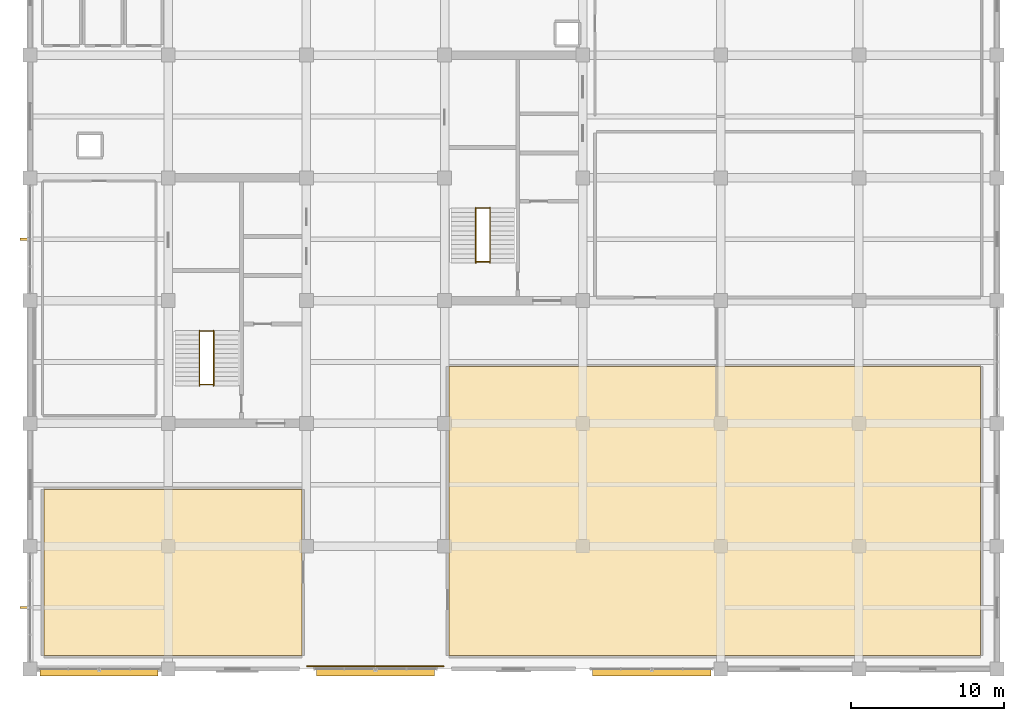
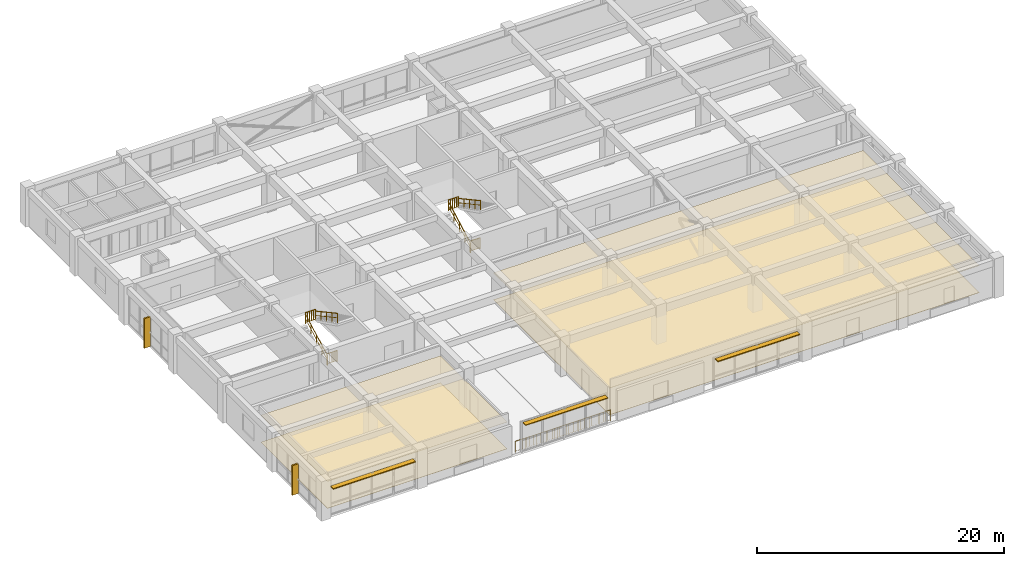
# One storey, part 16 of 16: 9 railings, 5 shading devices, 4 coverings.
"""IFC4 building model written with IfcOpenShell, lengths in metres."""

from ifc_helpers import new_model, si_unit, direction, frame, frame_2d, origin, origin_2d, place, context, subcontext, project, spatial, polyline, rectangle, circle, outline, extrude, material, layer, layer_set, type_object, element, save


model = new_model("IFC4")

# Units and contexts
model_context = context("Model", 3, precision=1e-05, world=origin(), true_north=direction((0.0, 1.0)))
body_context = subcontext(model_context, "Body", "Model", "MODEL_VIEW")
ifc_project = project(units=[si_unit("LENGTHUNIT", "METRE"), si_unit("AREAUNIT", "SQUARE_METRE"), si_unit("VOLUMEUNIT", "CUBIC_METRE"), si_unit("PLANEANGLEUNIT", "RADIAN"), si_unit("MASSUNIT", "GRAM", prefix="KILO")], contexts=[model_context])

# Site, building, storey
site_placement = place(None, origin())
site = spatial("IfcSite", under=ifc_project, at=site_placement, CompositionType="ELEMENT")
building_placement = place(site_placement, origin())
building = spatial("IfcBuilding", under=site, at=building_placement, Name="Zaverband Oceanarium and Marine Research Institute", CompositionType="ELEMENT")
storey_placement = place(building_placement, frame((0.0, 0.0, 25.800048828125)))
storey = spatial("IfcBuildingStorey", under=building, at=storey_placement, Name="L06", CompositionType="ELEMENT", Elevation=25.800048828125)

# Coverings
ifc_material_1 = material(Name="Perforated mineral-fibre acoustic ceiling tile")
ifc_layer_1 = layer(ifc_material_1, 0.02490234375, Name="Perforated mineral-fibre acoustic ceiling tile")
ifc_layer_set_1 = layer_set([ifc_layer_1], Name="Perforated mineral-fibre acoustic ceiling tile")
covering_type_1 = type_object("IfcCoveringType", Name="CLG-AC-15", PredefinedType="CEILING", material=ifc_layer_set_1)
covering_1_placement = place(storey_placement, frame((0.0, 0.0, 2.659912109375)))
element("IfcCovering", 1, at=covering_1_placement, inside=storey, type_object=covering_type_1, Name="Suspended acoustic ceiling CLG-AC-15", PredefinedType="CEILING", context=body_context, shape_type="SweptSolid", body=[
    extrude(outline(polyline([(9.889892578125, 64.889892578125), (26.7099609375, 64.889892578125), (26.7099609375, 75.7099609375), (9.889892578125, 75.7099609375), (9.889892578125, 64.889892578125)])), origin(), (0.0, 0.0, 1.0), 0.025146484375),
])
covering_2_placement = place(storey_placement, frame((0.0, 0.0, 2.659912109375)))
element("IfcCovering", 2, at=covering_2_placement, inside=storey, type_object=covering_type_1, Name="Suspended acoustic ceiling CLG-AC-15", PredefinedType="CEILING", context=body_context, shape_type="SweptSolid", body=[
    extrude(outline(polyline([(36.2900390625, 64.889892578125), (70.909912109375, 64.889892578125), (70.909912109375, 83.7099609375), (36.2900390625, 83.7099609375), (36.2900390625, 64.889892578125)])), origin(), (0.0, 0.0, 1.0), 0.025146484375),
])
ifc_material_2 = material(Name="Polished marine terrazzo and seamless laboratory epoxy flooring")
ifc_layer_2 = layer(ifc_material_2, 0.02490234375, Name="Polished marine terrazzo and seamless laboratory epoxy flooring")
ifc_layer_set_2 = layer_set([ifc_layer_2], Name="Polished marine terrazzo and seamless laboratory epoxy flooring")
covering_type_2 = type_object("IfcCoveringType", Name="FLR-TRZ-20", PredefinedType="FLOORING", material=ifc_layer_set_2)
covering_3_placement = place(storey_placement, origin())
element("IfcCovering", 3, at=covering_3_placement, inside=storey, type_object=covering_type_2, Name="Terrazzo and marine epoxy floor finish FLR-TRZ-20", PredefinedType="FLOORING", context=body_context, shape_type="SweptSolid", body=[
    extrude(outline(polyline([(9.889892578125, 64.889892578125), (26.7099609375, 64.889892578125), (26.7099609375, 75.7099609375), (9.889892578125, 75.7099609375), (9.889892578125, 64.889892578125)])), origin(), (0.0, 0.0, 1.0), 0.02490234375),
])
covering_4_placement = place(storey_placement, origin())
element("IfcCovering", 4, at=covering_4_placement, inside=storey, type_object=covering_type_2, Name="Terrazzo and marine epoxy floor finish FLR-TRZ-20", PredefinedType="FLOORING", context=body_context, shape_type="SweptSolid", body=[
    extrude(outline(polyline([(36.2900390625, 64.889892578125), (70.909912109375, 64.889892578125), (70.909912109375, 83.7099609375), (36.2900390625, 83.7099609375), (36.2900390625, 64.889892578125)])), origin(), (0.0, 0.0, 1.0), 0.02490234375),
])

# Railings
ifc_material_3 = material(Name="Steel S355", Category="steel")
ifc_layer_3 = layer(ifc_material_3, 0.06005859375, Name="Steel S355")
ifc_layer_set_3 = layer_set([ifc_layer_3], Name="Steel S355")
railing_type_1 = type_object("IfcRailingType", Name="GRD-1100", PredefinedType="BALUSTRADE", material=ifc_layer_set_3)
for number, where, name in (
    (5, (20.0400390625, 86.030029296875, 1.949951171875), "1100 mm steel post-and-baluster safety guard GRD-1100"),
    (6, (20.0400390625, 82.530029296875, 0.0), "1100 mm steel post-and-baluster safety guard GRD-1100"),
    (7, (38.0400390625, 94.030029296875, 1.949951171875), "1100 mm steel post-and-baluster safety guard GRD-1100"),
    (8, (38.0400390625, 90.530029296875, 0.0), "1100 mm steel post-and-baluster safety guard GRD-1100"),
):
    element("IfcRailing", number, at=place(storey_placement, frame(where)), inside=storey, type_object=railing_type_1, Name=name, PredefinedType="BALUSTRADE", context=body_context, shape_type="SweptSolid", body=[
        extrude(circle(Radius=0.02392578125, at=origin_2d()), frame((0.0, 0.0, 1.076171875), z_axis=(1.0, 0.0, 0.0), x_axis=(0.0, 1.0, 0.0)), (0.0, 0.0, 1.0), 0.919921875),
        extrude(circle(Radius=0.009033203125, at=origin_2d()), frame((0.0, 0.0, 0.10009765625), z_axis=(1.0, 0.0, 0.0), x_axis=(0.0, 1.0, 0.0)), (0.0, 0.0, 1.0), 0.919921875),
        extrude(circle(Radius=0.009033203125, at=origin_2d()), frame((0.18408203125, 0.0, 0.10009765625)), (0.0, 0.0, 1.0), 0.951904296875),
        extrude(circle(Radius=0.009033203125, at=origin_2d()), frame((0.367919921875, 0.0, 0.10009765625)), (0.0, 0.0, 1.0), 0.951904296875),
        extrude(circle(Radius=0.009033203125, at=origin_2d()), frame((0.552001953125, 0.0, 0.10009765625)), (0.0, 0.0, 1.0), 0.951904296875),
        extrude(circle(Radius=0.009033203125, at=origin_2d()), frame((0.73583984375, 0.0, 0.10009765625)), (0.0, 0.0, 1.0), 0.951904296875),
        extrude(circle(Radius=0.02099609375, at=origin_2d()), origin(), (0.0, 0.0, 1.0), 1.052001953125),
        extrude(circle(Radius=0.02099609375, at=origin_2d()), frame((0.919921875, 0.0, 0.0)), (0.0, 0.0, 1.0), 1.052001953125),
    ])
railing_1_placement = place(storey_placement, frame((27.050048828125, 64.179931640625, 0.0)))
element("IfcRailing", 9, at=railing_1_placement, inside=storey, type_object=railing_type_1, Name="1100 mm steel post-and-baluster safety guard GRD-1100", PredefinedType="BALUSTRADE", context=body_context, shape_type="SweptSolid", body=[
    extrude(circle(Radius=0.02392578125, at=origin_2d()), frame((0.0, 0.0, 1.076171875), z_axis=(1.0, 0.0, 0.0), x_axis=(0.0, 1.0, 0.0)), (0.0, 0.0, 1.0), 8.89990234375),
    extrude(circle(Radius=0.009033203125, at=origin_2d()), frame((0.0, 0.0, 0.10009765625), z_axis=(1.0, 0.0, 0.0), x_axis=(0.0, 1.0, 0.0)), (0.0, 0.0, 1.0), 8.89990234375),
    extrude(circle(Radius=0.009033203125, at=origin_2d()), frame((0.217041015625, 0.0, 0.10009765625)), (0.0, 0.0, 1.0), 0.951904296875),
    extrude(circle(Radius=0.009033203125, at=origin_2d()), frame((0.43408203125, 0.0, 0.10009765625)), (0.0, 0.0, 1.0), 0.951904296875),
    extrude(circle(Radius=0.009033203125, at=origin_2d()), frame((0.651123046875, 0.0, 0.10009765625)), (0.0, 0.0, 1.0), 0.951904296875),
    extrude(circle(Radius=0.009033203125, at=origin_2d()), frame((0.8681640625, 0.0, 0.10009765625)), (0.0, 0.0, 1.0), 0.951904296875),
    extrude(circle(Radius=0.009033203125, at=origin_2d()), frame((1.08544921875, 0.0, 0.10009765625)), (0.0, 0.0, 1.0), 0.951904296875),
    extrude(circle(Radius=0.009033203125, at=origin_2d()), frame((1.302490234375, 0.0, 0.10009765625)), (0.0, 0.0, 1.0), 0.951904296875),
    extrude(circle(Radius=0.009033203125, at=origin_2d()), frame((1.51953125, 0.0, 0.10009765625)), (0.0, 0.0, 1.0), 0.951904296875),
    extrude(circle(Radius=0.009033203125, at=origin_2d()), frame((1.736572265625, 0.0, 0.10009765625)), (0.0, 0.0, 1.0), 0.951904296875),
    extrude(circle(Radius=0.009033203125, at=origin_2d()), frame((1.95361328125, 0.0, 0.10009765625)), (0.0, 0.0, 1.0), 0.951904296875),
    extrude(circle(Radius=0.009033203125, at=origin_2d()), frame((2.170654296875, 0.0, 0.10009765625)), (0.0, 0.0, 1.0), 0.951904296875),
    extrude(circle(Radius=0.009033203125, at=origin_2d()), frame((2.3876953125, 0.0, 0.10009765625)), (0.0, 0.0, 1.0), 0.951904296875),
    extrude(circle(Radius=0.009033203125, at=origin_2d()), frame((2.604736328125, 0.0, 0.10009765625)), (0.0, 0.0, 1.0), 0.951904296875),
    extrude(circle(Radius=0.009033203125, at=origin_2d()), frame((2.822021484375, 0.0, 0.10009765625)), (0.0, 0.0, 1.0), 0.951904296875),
    extrude(circle(Radius=0.009033203125, at=origin_2d()), frame((3.0390625, 0.0, 0.10009765625)), (0.0, 0.0, 1.0), 0.951904296875),
    extrude(circle(Radius=0.009033203125, at=origin_2d()), frame((3.256103515625, 0.0, 0.10009765625)), (0.0, 0.0, 1.0), 0.951904296875),
    extrude(circle(Radius=0.009033203125, at=origin_2d()), frame((3.47314453125, 0.0, 0.10009765625)), (0.0, 0.0, 1.0), 0.951904296875),
    extrude(circle(Radius=0.009033203125, at=origin_2d()), frame((3.690185546875, 0.0, 0.10009765625)), (0.0, 0.0, 1.0), 0.951904296875),
    extrude(circle(Radius=0.009033203125, at=origin_2d()), frame((3.9072265625, 0.0, 0.10009765625)), (0.0, 0.0, 1.0), 0.951904296875),
    extrude(circle(Radius=0.009033203125, at=origin_2d()), frame((4.124267578125, 0.0, 0.10009765625)), (0.0, 0.0, 1.0), 0.951904296875),
    extrude(circle(Radius=0.009033203125, at=origin_2d()), frame((4.34130859375, 0.0, 0.10009765625)), (0.0, 0.0, 1.0), 0.951904296875),
    extrude(circle(Radius=0.009033203125, at=origin_2d()), frame((4.55859375, 0.0, 0.10009765625)), (0.0, 0.0, 1.0), 0.951904296875),
    extrude(circle(Radius=0.009033203125, at=origin_2d()), frame((4.775634765625, 0.0, 0.10009765625)), (0.0, 0.0, 1.0), 0.951904296875),
    extrude(circle(Radius=0.009033203125, at=origin_2d()), frame((4.99267578125, 0.0, 0.10009765625)), (0.0, 0.0, 1.0), 0.951904296875),
    extrude(circle(Radius=0.009033203125, at=origin_2d()), frame((5.209716796875, 0.0, 0.10009765625)), (0.0, 0.0, 1.0), 0.951904296875),
    extrude(circle(Radius=0.009033203125, at=origin_2d()), frame((5.4267578125, 0.0, 0.10009765625)), (0.0, 0.0, 1.0), 0.951904296875),
    extrude(circle(Radius=0.009033203125, at=origin_2d()), frame((5.643798828125, 0.0, 0.10009765625)), (0.0, 0.0, 1.0), 0.951904296875),
    extrude(circle(Radius=0.009033203125, at=origin_2d()), frame((5.86083984375, 0.0, 0.10009765625)), (0.0, 0.0, 1.0), 0.951904296875),
    extrude(circle(Radius=0.009033203125, at=origin_2d()), frame((6.077880859375, 0.0, 0.10009765625)), (0.0, 0.0, 1.0), 0.951904296875),
    extrude(circle(Radius=0.009033203125, at=origin_2d()), frame((6.295166015625, 0.0, 0.10009765625)), (0.0, 0.0, 1.0), 0.951904296875),
    extrude(circle(Radius=0.009033203125, at=origin_2d()), frame((6.51220703125, 0.0, 0.10009765625)), (0.0, 0.0, 1.0), 0.951904296875),
    extrude(circle(Radius=0.009033203125, at=origin_2d()), frame((6.729248046875, 0.0, 0.10009765625)), (0.0, 0.0, 1.0), 0.951904296875),
    extrude(circle(Radius=0.009033203125, at=origin_2d()), frame((6.9462890625, 0.0, 0.10009765625)), (0.0, 0.0, 1.0), 0.951904296875),
    extrude(circle(Radius=0.009033203125, at=origin_2d()), frame((7.163330078125, 0.0, 0.10009765625)), (0.0, 0.0, 1.0), 0.951904296875),
    extrude(circle(Radius=0.009033203125, at=origin_2d()), frame((7.38037109375, 0.0, 0.10009765625)), (0.0, 0.0, 1.0), 0.951904296875),
    extrude(circle(Radius=0.009033203125, at=origin_2d()), frame((7.597412109375, 0.0, 0.10009765625)), (0.0, 0.0, 1.0), 0.951904296875),
    extrude(circle(Radius=0.009033203125, at=origin_2d()), frame((7.814453125, 0.0, 0.10009765625)), (0.0, 0.0, 1.0), 0.951904296875),
    extrude(circle(Radius=0.009033203125, at=origin_2d()), frame((8.03173828125, 0.0, 0.10009765625)), (0.0, 0.0, 1.0), 0.951904296875),
    extrude(circle(Radius=0.009033203125, at=origin_2d()), frame((8.248779296875, 0.0, 0.10009765625)), (0.0, 0.0, 1.0), 0.951904296875),
    extrude(circle(Radius=0.009033203125, at=origin_2d()), frame((8.4658203125, 0.0, 0.10009765625)), (0.0, 0.0, 1.0), 0.951904296875),
    extrude(circle(Radius=0.009033203125, at=origin_2d()), frame((8.682861328125, 0.0, 0.10009765625)), (0.0, 0.0, 1.0), 0.951904296875),
    extrude(circle(Radius=0.02099609375, at=origin_2d()), origin(), (0.0, 0.0, 1.0), 1.052001953125),
    extrude(circle(Radius=0.02099609375, at=origin_2d()), frame((0.98876953125, 0.0, 0.0)), (0.0, 0.0, 1.0), 1.052001953125),
    extrude(circle(Radius=0.02099609375, at=origin_2d()), frame((1.977783203125, 0.0, 0.0)), (0.0, 0.0, 1.0), 1.052001953125),
    extrude(circle(Radius=0.02099609375, at=origin_2d()), frame((2.966552734375, 0.0, 0.0)), (0.0, 0.0, 1.0), 1.052001953125),
    extrude(circle(Radius=0.02099609375, at=origin_2d()), frame((3.95556640625, 0.0, 0.0)), (0.0, 0.0, 1.0), 1.052001953125),
    extrude(circle(Radius=0.02099609375, at=origin_2d()), frame((4.9443359375, 0.0, 0.0)), (0.0, 0.0, 1.0), 1.052001953125),
    extrude(circle(Radius=0.02099609375, at=origin_2d()), frame((5.933349609375, 0.0, 0.0)), (0.0, 0.0, 1.0), 1.052001953125),
    extrude(circle(Radius=0.02099609375, at=origin_2d()), frame((6.922119140625, 0.0, 0.0)), (0.0, 0.0, 1.0), 1.052001953125),
    extrude(circle(Radius=0.02099609375, at=origin_2d()), frame((7.9111328125, 0.0, 0.0)), (0.0, 0.0, 1.0), 1.052001953125),
    extrude(circle(Radius=0.02099609375, at=origin_2d()), frame((8.89990234375, 0.0, 0.0)), (0.0, 0.0, 1.0), 1.052001953125),
])
ifc_layer_4 = layer(ifc_material_3, 0.050048828125, Name="Steel S355")
ifc_layer_set_4 = layer_set([ifc_layer_4], Name="Steel S355")
railing_type_2 = type_object("IfcRailingType", Name="HR-920", PredefinedType="HANDRAIL", material=ifc_layer_set_4)
railing_2_placement = place(storey_placement, frame((20.0400390625, 82.449951171875, 0.0)))
element("IfcRailing", 10, at=railing_2_placement, inside=storey, type_object=railing_type_2, Name="920 mm continuous tubular stair and ramp handrail HR-920", PredefinedType="HANDRAIL", context=body_context, shape_type="SweptSolid", body=[
    extrude(circle(Radius=0.02392578125, at=origin_2d()), frame((0.0, 0.0, 0.89599609375), z_axis=(0.0, 0.879302371543, 0.476263938798), x_axis=(-1.0, 0.0, 0.0)), (0.0, 0.0, 1.0), 4.09423828125),
    extrude(circle(Radius=0.009033203125, at=origin_2d()), frame((0.0, 0.0, 0.4599609375), z_axis=(0.0, 0.879302371543, 0.476263938798), x_axis=(-1.0, 0.0, 0.0)), (0.0, 0.0, 1.0), 4.09423828125),
    extrude(circle(Radius=0.02099609375, at=origin_2d()), origin(), (0.0, 0.0, 1.0), 0.871826171875),
    extrude(circle(Radius=0.02099609375, at=origin_2d()), frame((0.0, 0.89990234375, 0.487548828125)), (0.0, 0.0, 1.0), 0.871826171875),
    extrude(circle(Radius=0.02099609375, at=origin_2d()), frame((0.0, 1.800048828125, 0.97509765625)), (0.0, 0.0, 1.0), 0.871826171875),
    extrude(circle(Radius=0.02099609375, at=origin_2d()), frame((0.0, 2.7001953125, 1.46240234375)), (0.0, 0.0, 1.0), 0.871826171875),
    extrude(circle(Radius=0.02099609375, at=origin_2d()), frame((0.0, 3.60009765625, 1.949951171875)), (0.0, 0.0, 1.0), 0.871826171875),
])
railing_3_placement = place(storey_placement, frame((20.9599609375, 86.050048828125, 1.949951171875)))
element("IfcRailing", 11, at=railing_3_placement, inside=storey, type_object=railing_type_2, Name="920 mm continuous tubular stair and ramp handrail HR-920", PredefinedType="HANDRAIL", context=body_context, shape_type="SweptSolid", body=[
    extrude(circle(Radius=0.02392578125, at=origin_2d()), frame((0.0, 0.0, 0.89599609375), z_axis=(0.0, -0.879302371543, 0.476263938798), x_axis=(1.0, 0.0, 0.0)), (0.0, 0.0, 1.0), 4.09423828125),
    extrude(circle(Radius=0.009033203125, at=origin_2d()), frame((0.0, 0.0, 0.4599609375), z_axis=(0.0, -0.879302371543, 0.476263938798), x_axis=(1.0, 0.0, 0.0)), (0.0, 0.0, 1.0), 4.09423828125),
    extrude(circle(Radius=0.02099609375, at=origin_2d()), origin(), (0.0, 0.0, 1.0), 0.871826171875),
    extrude(circle(Radius=0.02099609375, at=origin_2d()), frame((0.0, -0.89990234375, 0.487548828125)), (0.0, 0.0, 1.0), 0.871826171875),
    extrude(circle(Radius=0.02099609375, at=origin_2d()), frame((0.0, -1.800048828125, 0.97509765625)), (0.0, 0.0, 1.0), 0.871826171875),
    extrude(circle(Radius=0.02099609375, at=origin_2d()), frame((0.0, -2.7001953125, 1.46240234375)), (0.0, 0.0, 1.0), 0.871826171875),
    extrude(circle(Radius=0.02099609375, at=origin_2d()), frame((0.0, -3.60009765625, 1.949951171875)), (0.0, 0.0, 1.0), 0.871826171875),
])
railing_4_placement = place(storey_placement, frame((38.0400390625, 90.449951171875, 0.0)))
element("IfcRailing", 12, at=railing_4_placement, inside=storey, type_object=railing_type_2, Name="920 mm continuous tubular stair and ramp handrail HR-920", PredefinedType="HANDRAIL", context=body_context, shape_type="SweptSolid", body=[
    extrude(circle(Radius=0.02392578125, at=origin_2d()), frame((0.0, 0.0, 0.89599609375), z_axis=(0.0, 0.879302371543, 0.476263938798), x_axis=(-1.0, 0.0, 0.0)), (0.0, 0.0, 1.0), 4.09423828125),
    extrude(circle(Radius=0.009033203125, at=origin_2d()), frame((0.0, 0.0, 0.4599609375), z_axis=(0.0, 0.879302371543, 0.476263938798), x_axis=(-1.0, 0.0, 0.0)), (0.0, 0.0, 1.0), 4.09423828125),
    extrude(circle(Radius=0.02099609375, at=origin_2d()), origin(), (0.0, 0.0, 1.0), 0.871826171875),
    extrude(circle(Radius=0.02099609375, at=origin_2d()), frame((0.0, 0.89990234375, 0.487548828125)), (0.0, 0.0, 1.0), 0.871826171875),
    extrude(circle(Radius=0.02099609375, at=origin_2d()), frame((0.0, 1.800048828125, 0.97509765625)), (0.0, 0.0, 1.0), 0.871826171875),
    extrude(circle(Radius=0.02099609375, at=origin_2d()), frame((0.0, 2.7001953125, 1.46240234375)), (0.0, 0.0, 1.0), 0.871826171875),
    extrude(circle(Radius=0.02099609375, at=origin_2d()), frame((0.0, 3.60009765625, 1.949951171875)), (0.0, 0.0, 1.0), 0.871826171875),
])
railing_5_placement = place(storey_placement, frame((38.9599609375, 94.050048828125, 1.949951171875)))
element("IfcRailing", 13, at=railing_5_placement, inside=storey, type_object=railing_type_2, Name="920 mm continuous tubular stair and ramp handrail HR-920", PredefinedType="HANDRAIL", context=body_context, shape_type="SweptSolid", body=[
    extrude(circle(Radius=0.02392578125, at=origin_2d()), frame((0.0, 0.0, 0.89599609375), z_axis=(0.0, -0.879302371543, 0.476263938798), x_axis=(1.0, 0.0, 0.0)), (0.0, 0.0, 1.0), 4.09423828125),
    extrude(circle(Radius=0.009033203125, at=origin_2d()), frame((0.0, 0.0, 0.4599609375), z_axis=(0.0, -0.879302371543, 0.476263938798), x_axis=(1.0, 0.0, 0.0)), (0.0, 0.0, 1.0), 4.09423828125),
    extrude(circle(Radius=0.02099609375, at=origin_2d()), origin(), (0.0, 0.0, 1.0), 0.871826171875),
    extrude(circle(Radius=0.02099609375, at=origin_2d()), frame((0.0, -0.89990234375, 0.487548828125)), (0.0, 0.0, 1.0), 0.871826171875),
    extrude(circle(Radius=0.02099609375, at=origin_2d()), frame((0.0, -1.800048828125, 0.97509765625)), (0.0, 0.0, 1.0), 0.871826171875),
    extrude(circle(Radius=0.02099609375, at=origin_2d()), frame((0.0, -2.7001953125, 1.46240234375)), (0.0, 0.0, 1.0), 0.871826171875),
    extrude(circle(Radius=0.02099609375, at=origin_2d()), frame((0.0, -3.60009765625, 1.949951171875)), (0.0, 0.0, 1.0), 0.871826171875),
])

# Shading devices
ifc_material_4 = material(Name="Concrete C40/50 precast brise-soleil", Category="concrete")
ifc_layer_5 = layer(ifc_material_4, 0.139892578125, Name="Concrete C40/50 precast brise-soleil")
ifc_layer_set_5 = layer_set([ifc_layer_5], Name="Concrete C40/50 precast brise-soleil")
shading_device_type_1 = type_object("IfcShadingDeviceType", Name="SHD-FIN-600", PredefinedType="JALOUSIE", material=ifc_layer_set_5)
for number, where, z_axis, x_axis, name in (
    (14, (8.93994140625, 68.0, 0.0), (0.0, 0.0, 1.0), (-1.0, 0.0, 0.0), "600 mm vertical precast brise-soleil fin SHD-FIN-600"),
    (15, (8.93994140625, 92.0, 0.0), (0.0, 0.0, 1.0), (-1.0, 0.0, 0.0), "600 mm vertical precast brise-soleil fin SHD-FIN-600"),
):
    element("IfcShadingDevice", number, at=place(storey_placement, frame(where, z_axis=z_axis, x_axis=x_axis)), inside=storey, type_object=shading_device_type_1, Name=name, PredefinedType="JALOUSIE", context=body_context, shape_type="SweptSolid", body=[
        extrude(rectangle(XDim=0.599853515625, YDim=0.139892578125, at=frame_2d((0.2998046875, 0.0))), origin(), (0.0, 0.0, 1.0), 2.929931640625),
    ])
ifc_material_5 = material(Name="Anodized bronze marine-grade aluminium", Category="aluminium")
ifc_layer_6 = layer(ifc_material_5, 0.080078125, Name="Anodized bronze marine-grade aluminium")
ifc_layer_set_6 = layer_set([ifc_layer_6], Name="Anodized bronze marine-grade aluminium")
shading_device_type_2 = type_object("IfcShadingDeviceType", Name="SHD-LVR-450", PredefinedType="USERDEFINED", material=ifc_layer_set_6)
for number, where, z_axis, x_axis, name in (
    (16, (9.655029296875, 63.760009765625, 2.800048828125), (0.0, 0.0, 1.0), (1.0, 0.0, 0.0), "450 mm horizontal solar shading louvre SHD-LVR-450"),
    (17, (27.655029296875, 63.760009765625, 2.800048828125), (0.0, 0.0, 1.0), (1.0, 0.0, 0.0), "450 mm horizontal solar shading louvre SHD-LVR-450"),
    (18, (45.655029296875, 63.760009765625, 2.800048828125), (0.0, 0.0, 1.0), (1.0, 0.0, 0.0), "450 mm horizontal solar shading louvre SHD-LVR-450"),
):
    element("IfcShadingDevice", number, at=place(storey_placement, frame(where, z_axis=z_axis, x_axis=x_axis)), inside=storey, type_object=shading_device_type_2, Name=name, ObjectType="LOUVRE", PredefinedType="USERDEFINED", context=body_context, shape_type="SweptSolid", body=[
        extrude(rectangle(XDim=7.68994140625, YDim=0.449951171875, at=frame_2d((3.844970703125, 0.0))), origin(), (0.0, 0.0, 1.0), 0.079833984375),
    ])

save(model, "model.ifc")
